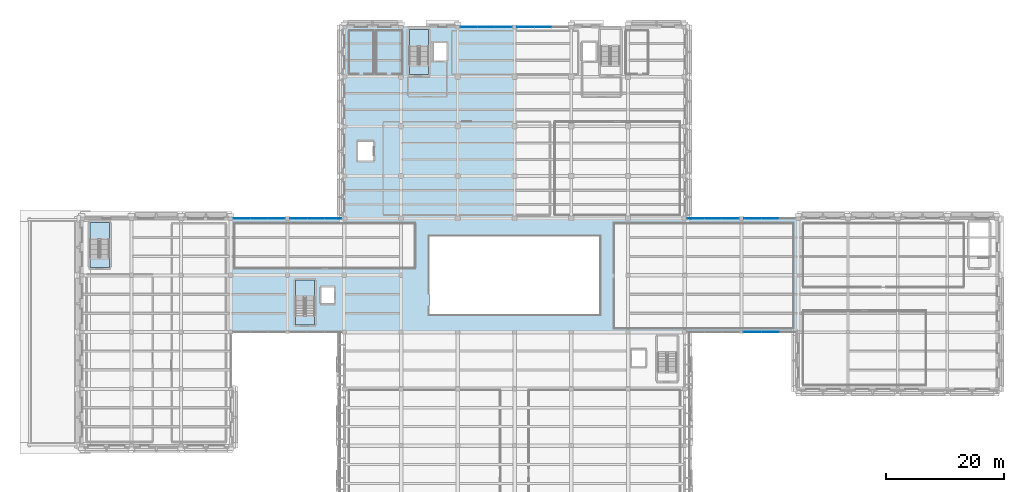
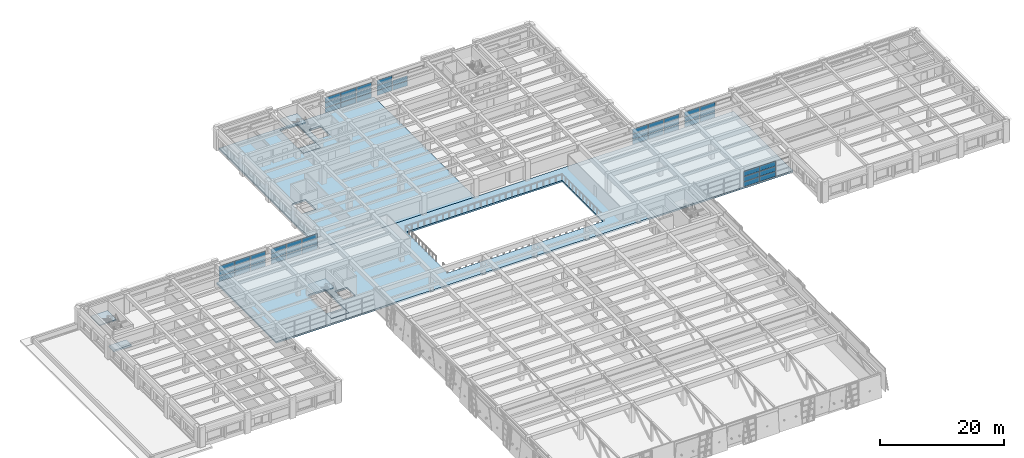
# One storey, part 33 of 62: 53 plates, 8 slabs, 10 elements without a shape of their own.
"""IFC4 building model written with IfcOpenShell, lengths in metres."""

from ifc_helpers import new_model, si_unit, direction, frame, origin, origin_2d, place, context, subcontext, project, spatial, polyline, rectangle, outline, extrude, material, layer, layer_set, type_object, element, aggregate, save


model = new_model("IFC4")

# Units and contexts
model_context = context("Model", 3, precision=1e-05, world=origin(), true_north=direction((0.0, 1.0)))
body_context = subcontext(model_context, "Body", "Model", "MODEL_VIEW")
ifc_project = project(units=[si_unit("LENGTHUNIT", "METRE"), si_unit("AREAUNIT", "SQUARE_METRE"), si_unit("VOLUMEUNIT", "CUBIC_METRE"), si_unit("PLANEANGLEUNIT", "RADIAN"), si_unit("MASSUNIT", "GRAM", prefix="KILO")], contexts=[model_context])

# Site, building, storey
site_placement = place(None, origin())
site = spatial("IfcSite", under=ifc_project, at=site_placement, CompositionType="ELEMENT")
building_placement = place(site_placement, origin())
building = spatial("IfcBuilding", under=site, at=building_placement, Name="Bempovik Park Faculty of Sciences", CompositionType="ELEMENT")
storey_placement = place(building_placement, frame((0.0, 0.0, 9.89990234375)))
storey = spatial("IfcBuildingStorey", under=building, at=storey_placement, Name="L02", CompositionType="ELEMENT", Elevation=9.89990234375)

# Curtain wall, plates
ifc_material_1 = material(Name="Tempered laminated low-E glass", Category="glass")
ifc_layer_1 = layer(ifc_material_1, 0.159912109375)
ifc_layer_set_1 = layer_set([ifc_layer_1], Name="Tempered laminated low-E glass")
curtain_wall_type_1 = type_object("IfcCurtainWallType", Name="CW-41 Curtain 6600x3800", PredefinedType="USERDEFINED", material=ifc_layer_set_1)
curtain_wall_1_placement = place(storey_placement, origin())
curtain_wall_1 = element("IfcCurtainWall", 1, at=curtain_wall_1_placement, inside=storey, type_object=curtain_wall_type_1, Name="L02 Unitised Curtain Wall (87.0,40.8)", ObjectType="UNITISED CURTAIN WALL", PredefinedType="USERDEFINED")
ifc_layer_2 = layer(ifc_material_1, 0.033935546875)
ifc_layer_set_2 = layer_set([ifc_layer_2], Name="Tempered laminated low-E glass")
plate_type_1 = type_object("IfcPlateType", Name="CP-19 Curtain Panel 34mm", PredefinedType="CURTAIN_PANEL", material=ifc_layer_set_2)
plate_1_placement = place(storey_placement, frame((42.701416015625, 87.0, 1.066650390625), z_axis=(0.0, 0.0, 1.0), x_axis=(1.0, 0.0, 0.0)))
plate_1 = element("IfcPlate", 2, at=plate_1_placement, type_object=plate_type_1, Name="CW-BAY-L02-870-408 Panel 0-1", PredefinedType="CURTAIN_PANEL", context=body_context, shape_type="SweptSolid", body=[
    extrude(rectangle(XDim=2.818603515625, YDim=0.035888671875, at=origin_2d()), origin(), (0.0, 0.0, 1.0), 0.94677734375),
])
plate_2_placement = place(storey_placement, frame((42.701416015625, 87.0, 2.093505859375), z_axis=(0.0, 0.0, 1.0), x_axis=(1.0, 0.0, 0.0)))
plate_2 = element("IfcPlate", 3, at=plate_2_placement, type_object=plate_type_1, Name="CW-BAY-L02-870-408 Panel 0-2", PredefinedType="CURTAIN_PANEL", context=body_context, shape_type="SweptSolid", body=[
    extrude(rectangle(XDim=2.818603515625, YDim=0.035888671875, at=origin_2d()), origin(), (0.0, 0.0, 1.0), 0.94677734375),
])
plate_3_placement = place(storey_placement, frame((45.60009765625, 87.0, 1.066650390625), z_axis=(0.0, 0.0, 1.0), x_axis=(1.0, 0.0, 0.0)))
plate_3 = element("IfcPlate", 4, at=plate_3_placement, type_object=plate_type_1, Name="CW-BAY-L02-870-408 Panel 1-1", PredefinedType="CURTAIN_PANEL", context=body_context, shape_type="SweptSolid", body=[
    extrude(rectangle(XDim=2.818603515625, YDim=0.035888671875, at=origin_2d()), origin(), (0.0, 0.0, 1.0), 0.94677734375),
])
plate_4_placement = place(storey_placement, frame((45.60009765625, 87.0, 2.093505859375), z_axis=(0.0, 0.0, 1.0), x_axis=(1.0, 0.0, 0.0)))
plate_4 = element("IfcPlate", 5, at=plate_4_placement, type_object=plate_type_1, Name="CW-BAY-L02-870-408 Panel 1-2", PredefinedType="CURTAIN_PANEL", context=body_context, shape_type="SweptSolid", body=[
    extrude(rectangle(XDim=2.818603515625, YDim=0.035888671875, at=origin_2d()), origin(), (0.0, 0.0, 1.0), 0.94677734375),
])
plate_5_placement = place(storey_placement, frame((48.498779296875, 87.0, 1.066650390625), z_axis=(0.0, 0.0, 1.0), x_axis=(1.0, 0.0, 0.0)))
plate_5 = element("IfcPlate", 6, at=plate_5_placement, type_object=plate_type_1, Name="CW-BAY-L02-870-408 Panel 2-1", PredefinedType="CURTAIN_PANEL", context=body_context, shape_type="SweptSolid", body=[
    extrude(rectangle(XDim=2.818603515625, YDim=0.035888671875, at=origin_2d()), origin(), (0.0, 0.0, 1.0), 0.94677734375),
])
plate_6_placement = place(storey_placement, frame((48.498779296875, 87.0, 2.093505859375), z_axis=(0.0, 0.0, 1.0), x_axis=(1.0, 0.0, 0.0)))
plate_6 = element("IfcPlate", 7, at=plate_6_placement, type_object=plate_type_1, Name="CW-BAY-L02-870-408 Panel 2-2", PredefinedType="CURTAIN_PANEL", context=body_context, shape_type="SweptSolid", body=[
    extrude(rectangle(XDim=2.818603515625, YDim=0.035888671875, at=origin_2d()), origin(), (0.0, 0.0, 1.0), 0.94677734375),
])

curtain_wall_2_placement = place(storey_placement, origin())
curtain_wall_2 = element("IfcCurtainWall", 8, at=curtain_wall_2_placement, inside=storey, type_object=curtain_wall_type_1, Name="L02 Unitised Curtain Wall (87.0,50.4)", ObjectType="UNITISED CURTAIN WALL", PredefinedType="USERDEFINED")
plate_7_placement = place(storey_placement, frame((52.30126953125, 87.0, 1.066650390625), z_axis=(0.0, 0.0, 1.0), x_axis=(1.0, 0.0, 0.0)))
plate_7 = element("IfcPlate", 9, at=plate_7_placement, type_object=plate_type_1, Name="CW-BAY-L02-870-504 Panel 0-1", PredefinedType="CURTAIN_PANEL", context=body_context, shape_type="SweptSolid", body=[
    extrude(rectangle(XDim=2.818603515625, YDim=0.035888671875, at=origin_2d()), origin(), (0.0, 0.0, 1.0), 0.94677734375),
])
plate_8_placement = place(storey_placement, frame((52.30126953125, 87.0, 2.093505859375), z_axis=(0.0, 0.0, 1.0), x_axis=(1.0, 0.0, 0.0)))
plate_8 = element("IfcPlate", 10, at=plate_8_placement, type_object=plate_type_1, Name="CW-BAY-L02-870-504 Panel 0-2", PredefinedType="CURTAIN_PANEL", context=body_context, shape_type="SweptSolid", body=[
    extrude(rectangle(XDim=2.818603515625, YDim=0.035888671875, at=origin_2d()), origin(), (0.0, 0.0, 1.0), 0.94677734375),
])
plate_9_placement = place(storey_placement, frame((55.199951171875, 87.0, 1.066650390625), z_axis=(0.0, 0.0, 1.0), x_axis=(1.0, 0.0, 0.0)))
plate_9 = element("IfcPlate", 11, at=plate_9_placement, type_object=plate_type_1, Name="CW-BAY-L02-870-504 Panel 1-1", PredefinedType="CURTAIN_PANEL", context=body_context, shape_type="SweptSolid", body=[
    extrude(rectangle(XDim=2.818603515625, YDim=0.035888671875, at=origin_2d()), origin(), (0.0, 0.0, 1.0), 0.94677734375),
])
plate_10_placement = place(storey_placement, frame((55.199951171875, 87.0, 2.093505859375), z_axis=(0.0, 0.0, 1.0), x_axis=(1.0, 0.0, 0.0)))
plate_10 = element("IfcPlate", 12, at=plate_10_placement, type_object=plate_type_1, Name="CW-BAY-L02-870-504 Panel 1-2", PredefinedType="CURTAIN_PANEL", context=body_context, shape_type="SweptSolid", body=[
    extrude(rectangle(XDim=2.818603515625, YDim=0.035888671875, at=origin_2d()), origin(), (0.0, 0.0, 1.0), 0.94677734375),
])
plate_11_placement = place(storey_placement, frame((58.0986328125, 87.0, 1.066650390625), z_axis=(0.0, 0.0, 1.0), x_axis=(1.0, 0.0, 0.0)))
plate_11 = element("IfcPlate", 13, at=plate_11_placement, type_object=plate_type_1, Name="CW-BAY-L02-870-504 Panel 2-1", PredefinedType="CURTAIN_PANEL", context=body_context, shape_type="SweptSolid", body=[
    extrude(rectangle(XDim=2.818603515625, YDim=0.035888671875, at=origin_2d()), origin(), (0.0, 0.0, 1.0), 0.94677734375),
])
plate_12_placement = place(storey_placement, frame((58.0986328125, 87.0, 2.093505859375), z_axis=(0.0, 0.0, 1.0), x_axis=(1.0, 0.0, 0.0)))
plate_12 = element("IfcPlate", 14, at=plate_12_placement, type_object=plate_type_1, Name="CW-BAY-L02-870-504 Panel 2-2", PredefinedType="CURTAIN_PANEL", context=body_context, shape_type="SweptSolid", body=[
    extrude(rectangle(XDim=2.818603515625, YDim=0.035888671875, at=origin_2d()), origin(), (0.0, 0.0, 1.0), 0.94677734375),
])

curtain_wall_3_placement = place(storey_placement, origin())
curtain_wall_3 = element("IfcCurtainWall", 15, at=curtain_wall_3_placement, inside=storey, type_object=curtain_wall_type_1, Name="L02 Unitised Curtain Wall (87.0,117.6)", ObjectType="UNITISED CURTAIN WALL", PredefinedType="USERDEFINED")
plate_13_placement = place(storey_placement, frame((119.501220703125, 87.0, 1.066650390625), z_axis=(0.0, 0.0, 1.0), x_axis=(1.0, 0.0, 0.0)))
plate_13 = element("IfcPlate", 16, at=plate_13_placement, type_object=plate_type_1, Name="CW-BAY-L02-870-1176 Panel 0-1", PredefinedType="CURTAIN_PANEL", context=body_context, shape_type="SweptSolid", body=[
    extrude(rectangle(XDim=2.818603515625, YDim=0.035888671875, at=origin_2d()), origin(), (0.0, 0.0, 1.0), 0.94677734375),
])
plate_14_placement = place(storey_placement, frame((119.501220703125, 87.0, 2.093505859375), z_axis=(0.0, 0.0, 1.0), x_axis=(1.0, 0.0, 0.0)))
plate_14 = element("IfcPlate", 17, at=plate_14_placement, type_object=plate_type_1, Name="CW-BAY-L02-870-1176 Panel 0-2", PredefinedType="CURTAIN_PANEL", context=body_context, shape_type="SweptSolid", body=[
    extrude(rectangle(XDim=2.818603515625, YDim=0.035888671875, at=origin_2d()), origin(), (0.0, 0.0, 1.0), 0.94677734375),
])
plate_15_placement = place(storey_placement, frame((122.39990234375, 87.0, 1.066650390625), z_axis=(0.0, 0.0, 1.0), x_axis=(1.0, 0.0, 0.0)))
plate_15 = element("IfcPlate", 18, at=plate_15_placement, type_object=plate_type_1, Name="CW-BAY-L02-870-1176 Panel 1-1", PredefinedType="CURTAIN_PANEL", context=body_context, shape_type="SweptSolid", body=[
    extrude(rectangle(XDim=2.818603515625, YDim=0.035888671875, at=origin_2d()), origin(), (0.0, 0.0, 1.0), 0.94677734375),
])
plate_16_placement = place(storey_placement, frame((122.39990234375, 87.0, 2.093505859375), z_axis=(0.0, 0.0, 1.0), x_axis=(1.0, 0.0, 0.0)))
plate_16 = element("IfcPlate", 19, at=plate_16_placement, type_object=plate_type_1, Name="CW-BAY-L02-870-1176 Panel 1-2", PredefinedType="CURTAIN_PANEL", context=body_context, shape_type="SweptSolid", body=[
    extrude(rectangle(XDim=2.818603515625, YDim=0.035888671875, at=origin_2d()), origin(), (0.0, 0.0, 1.0), 0.94677734375),
])
plate_17_placement = place(storey_placement, frame((125.298583984375, 87.0, 1.066650390625), z_axis=(0.0, 0.0, 1.0), x_axis=(1.0, 0.0, 0.0)))
plate_17 = element("IfcPlate", 20, at=plate_17_placement, type_object=plate_type_1, Name="CW-BAY-L02-870-1176 Panel 2-1", PredefinedType="CURTAIN_PANEL", context=body_context, shape_type="SweptSolid", body=[
    extrude(rectangle(XDim=2.818603515625, YDim=0.035888671875, at=origin_2d()), origin(), (0.0, 0.0, 1.0), 0.94677734375),
])
plate_18_placement = place(storey_placement, frame((125.298583984375, 87.0, 2.093505859375), z_axis=(0.0, 0.0, 1.0), x_axis=(1.0, 0.0, 0.0)))
plate_18 = element("IfcPlate", 21, at=plate_18_placement, type_object=plate_type_1, Name="CW-BAY-L02-870-1176 Panel 2-2", PredefinedType="CURTAIN_PANEL", context=body_context, shape_type="SweptSolid", body=[
    extrude(rectangle(XDim=2.818603515625, YDim=0.035888671875, at=origin_2d()), origin(), (0.0, 0.0, 1.0), 0.94677734375),
])

curtain_wall_4_placement = place(storey_placement, origin())
curtain_wall_4 = element("IfcCurtainWall", 22, at=curtain_wall_4_placement, inside=storey, type_object=curtain_wall_type_1, Name="L02 Unitised Curtain Wall (87.0,127.2)", ObjectType="UNITISED CURTAIN WALL", PredefinedType="USERDEFINED")
plate_19_placement = place(storey_placement, frame((129.101318359375, 87.0, 1.066650390625), z_axis=(0.0, 0.0, 1.0), x_axis=(1.0, 0.0, 0.0)))
plate_19 = element("IfcPlate", 23, at=plate_19_placement, type_object=plate_type_1, Name="CW-BAY-L02-870-1272 Panel 0-1", PredefinedType="CURTAIN_PANEL", context=body_context, shape_type="SweptSolid", body=[
    extrude(rectangle(XDim=2.818603515625, YDim=0.035888671875, at=origin_2d()), origin(), (0.0, 0.0, 1.0), 0.94677734375),
])
plate_20_placement = place(storey_placement, frame((129.101318359375, 87.0, 2.093505859375), z_axis=(0.0, 0.0, 1.0), x_axis=(1.0, 0.0, 0.0)))
plate_20 = element("IfcPlate", 24, at=plate_20_placement, type_object=plate_type_1, Name="CW-BAY-L02-870-1272 Panel 0-2", PredefinedType="CURTAIN_PANEL", context=body_context, shape_type="SweptSolid", body=[
    extrude(rectangle(XDim=2.818603515625, YDim=0.035888671875, at=origin_2d()), origin(), (0.0, 0.0, 1.0), 0.94677734375),
])
plate_21_placement = place(storey_placement, frame((132.0, 87.0, 1.066650390625), z_axis=(0.0, 0.0, 1.0), x_axis=(1.0, 0.0, 0.0)))
plate_21 = element("IfcPlate", 25, at=plate_21_placement, type_object=plate_type_1, Name="CW-BAY-L02-870-1272 Panel 1-1", PredefinedType="CURTAIN_PANEL", context=body_context, shape_type="SweptSolid", body=[
    extrude(rectangle(XDim=2.818603515625, YDim=0.035888671875, at=origin_2d()), origin(), (0.0, 0.0, 1.0), 0.94677734375),
])
plate_22_placement = place(storey_placement, frame((132.0, 87.0, 2.093505859375), z_axis=(0.0, 0.0, 1.0), x_axis=(1.0, 0.0, 0.0)))
plate_22 = element("IfcPlate", 26, at=plate_22_placement, type_object=plate_type_1, Name="CW-BAY-L02-870-1272 Panel 1-2", PredefinedType="CURTAIN_PANEL", context=body_context, shape_type="SweptSolid", body=[
    extrude(rectangle(XDim=2.818603515625, YDim=0.035888671875, at=origin_2d()), origin(), (0.0, 0.0, 1.0), 0.94677734375),
])

curtain_wall_5_placement = place(storey_placement, origin())
curtain_wall_5 = element("IfcCurtainWall", 27, at=curtain_wall_5_placement, inside=storey, type_object=curtain_wall_type_1, Name="L02 Unitised Curtain Wall (67.8,127.2)", ObjectType="UNITISED CURTAIN WALL", PredefinedType="USERDEFINED")
plate_23_placement = place(storey_placement, frame((129.0498046875, 67.800048828125, 1.066650390625), z_axis=(0.0, 0.0, 1.0), x_axis=(1.0, 0.0, 0.0)))
plate_23 = element("IfcPlate", 28, at=plate_23_placement, type_object=plate_type_1, Name="CW-BAY-L02-678-1272 Panel 0-1", PredefinedType="CURTAIN_PANEL", context=body_context, shape_type="SweptSolid", body=[
    extrude(rectangle(XDim=2.915283203125, YDim=0.035888671875, at=origin_2d()), origin(), (0.0, 0.0, 1.0), 0.94677734375),
])
plate_24_placement = place(storey_placement, frame((129.0498046875, 67.800048828125, 2.093505859375), z_axis=(0.0, 0.0, 1.0), x_axis=(1.0, 0.0, 0.0)))
plate_24 = element("IfcPlate", 29, at=plate_24_placement, type_object=plate_type_1, Name="CW-BAY-L02-678-1272 Panel 0-2", PredefinedType="CURTAIN_PANEL", context=body_context, shape_type="SweptSolid", body=[
    extrude(rectangle(XDim=2.915283203125, YDim=0.035888671875, at=origin_2d()), origin(), (0.0, 0.0, 1.0), 0.94677734375),
])
plate_25_placement = place(storey_placement, frame((132.044921875, 67.800048828125, 1.066650390625), z_axis=(0.0, 0.0, 1.0), x_axis=(1.0, 0.0, 0.0)))
plate_25 = element("IfcPlate", 30, at=plate_25_placement, type_object=plate_type_1, Name="CW-BAY-L02-678-1272 Panel 1-1", PredefinedType="CURTAIN_PANEL", context=body_context, shape_type="SweptSolid", body=[
    extrude(rectangle(XDim=2.915283203125, YDim=0.035888671875, at=origin_2d()), origin(), (0.0, 0.0, 1.0), 0.94677734375),
])
plate_26_placement = place(storey_placement, frame((132.044921875, 67.800048828125, 2.093505859375), z_axis=(0.0, 0.0, 1.0), x_axis=(1.0, 0.0, 0.0)))
plate_26 = element("IfcPlate", 31, at=plate_26_placement, type_object=plate_type_1, Name="CW-BAY-L02-678-1272 Panel 1-2", PredefinedType="CURTAIN_PANEL", context=body_context, shape_type="SweptSolid", body=[
    extrude(rectangle(XDim=2.915283203125, YDim=0.035888671875, at=origin_2d()), origin(), (0.0, 0.0, 1.0), 0.94677734375),
])

ifc_layer_3 = layer(ifc_material_1, 0.159912109375)
ifc_layer_set_3 = layer_set([ifc_layer_3], Name="Tempered laminated low-E glass")
curtain_wall_type_2 = type_object("IfcCurtainWallType", Name="CW-24 Curtain 7000x3500", PredefinedType="USERDEFINED", material=ifc_layer_set_3)
curtain_wall_6_placement = place(storey_placement, origin())
curtain_wall_6 = element("IfcCurtainWall", 32, at=curtain_wall_6_placement, inside=storey, type_object=curtain_wall_type_2, Name="L02 Unitised Curtain Wall (119.4,79.2)", ObjectType="UNITISED CURTAIN WALL", PredefinedType="USERDEFINED")
ifc_layer_4 = layer(ifc_material_1, 0.028076171875)
ifc_layer_set_4 = layer_set([ifc_layer_4], Name="Tempered laminated low-E glass")
plate_type_2 = type_object("IfcPlateType", Name="CP-20 Curtain Panel 28mm", PredefinedType="CURTAIN_PANEL", material=ifc_layer_set_4)
plate_27_placement = place(storey_placement, frame((81.101318359375, 119.39990234375, 1.066650390625), z_axis=(0.0, 0.0, 1.0), x_axis=(1.0, 0.0, 0.0)))
plate_27 = element("IfcPlate", 33, at=plate_27_placement, type_object=plate_type_2, Name="CW-BAY-L02-1194-792 Panel 0-1", PredefinedType="CURTAIN_PANEL", context=body_context, shape_type="SweptSolid", body=[
    extrude(rectangle(XDim=2.818603515625, YDim=0.035888671875, at=origin_2d()), origin(), (0.0, 0.0, 1.0), 0.94677734375),
])
plate_28_placement = place(storey_placement, frame((81.101318359375, 119.39990234375, 2.093505859375), z_axis=(0.0, 0.0, 1.0), x_axis=(1.0, 0.0, 0.0)))
plate_28 = element("IfcPlate", 34, at=plate_28_placement, type_object=plate_type_2, Name="CW-BAY-L02-1194-792 Panel 0-2", PredefinedType="CURTAIN_PANEL", context=body_context, shape_type="SweptSolid", body=[
    extrude(rectangle(XDim=2.818603515625, YDim=0.035888671875, at=origin_2d()), origin(), (0.0, 0.0, 1.0), 0.94677734375),
])
plate_29_placement = place(storey_placement, frame((84.0, 119.39990234375, 1.066650390625), z_axis=(0.0, 0.0, 1.0), x_axis=(1.0, 0.0, 0.0)))
plate_29 = element("IfcPlate", 35, at=plate_29_placement, type_object=plate_type_2, Name="CW-BAY-L02-1194-792 Panel 1-1", PredefinedType="CURTAIN_PANEL", context=body_context, shape_type="SweptSolid", body=[
    extrude(rectangle(XDim=2.818603515625, YDim=0.035888671875, at=origin_2d()), origin(), (0.0, 0.0, 1.0), 0.94677734375),
])
plate_30_placement = place(storey_placement, frame((84.0, 119.39990234375, 2.093505859375), z_axis=(0.0, 0.0, 1.0), x_axis=(1.0, 0.0, 0.0)))
plate_30 = element("IfcPlate", 36, at=plate_30_placement, type_object=plate_type_2, Name="CW-BAY-L02-1194-792 Panel 1-2", PredefinedType="CURTAIN_PANEL", context=body_context, shape_type="SweptSolid", body=[
    extrude(rectangle(XDim=2.818603515625, YDim=0.035888671875, at=origin_2d()), origin(), (0.0, 0.0, 1.0), 0.94677734375),
])
plate_31_placement = place(storey_placement, frame((86.898681640625, 119.39990234375, 1.066650390625), z_axis=(0.0, 0.0, 1.0), x_axis=(1.0, 0.0, 0.0)))
plate_31 = element("IfcPlate", 37, at=plate_31_placement, type_object=plate_type_2, Name="CW-BAY-L02-1194-792 Panel 2-1", PredefinedType="CURTAIN_PANEL", context=body_context, shape_type="SweptSolid", body=[
    extrude(rectangle(XDim=2.818603515625, YDim=0.035888671875, at=origin_2d()), origin(), (0.0, 0.0, 1.0), 0.94677734375),
])
plate_32_placement = place(storey_placement, frame((86.898681640625, 119.39990234375, 2.093505859375), z_axis=(0.0, 0.0, 1.0), x_axis=(1.0, 0.0, 0.0)))
plate_32 = element("IfcPlate", 38, at=plate_32_placement, type_object=plate_type_2, Name="CW-BAY-L02-1194-792 Panel 2-2", PredefinedType="CURTAIN_PANEL", context=body_context, shape_type="SweptSolid", body=[
    extrude(rectangle(XDim=2.818603515625, YDim=0.035888671875, at=origin_2d()), origin(), (0.0, 0.0, 1.0), 0.94677734375),
])

curtain_wall_7_placement = place(storey_placement, origin())
curtain_wall_7 = element("IfcCurtainWall", 39, at=curtain_wall_7_placement, inside=storey, type_object=curtain_wall_type_2, Name="L02 Unitised Curtain Wall (119.4,88.8)", ObjectType="UNITISED CURTAIN WALL", PredefinedType="USERDEFINED")
plate_33_placement = place(storey_placement, frame((90.701416015625, 119.39990234375, 1.066650390625), z_axis=(0.0, 0.0, 1.0), x_axis=(1.0, 0.0, 0.0)))
plate_33 = element("IfcPlate", 40, at=plate_33_placement, type_object=plate_type_2, Name="CW-BAY-L02-1194-888 Panel 0-1", PredefinedType="CURTAIN_PANEL", context=body_context, shape_type="SweptSolid", body=[
    extrude(rectangle(XDim=2.818603515625, YDim=0.035888671875, at=origin_2d()), origin(), (0.0, 0.0, 1.0), 0.94677734375),
])
plate_34_placement = place(storey_placement, frame((90.701416015625, 119.39990234375, 2.093505859375), z_axis=(0.0, 0.0, 1.0), x_axis=(1.0, 0.0, 0.0)))
plate_34 = element("IfcPlate", 41, at=plate_34_placement, type_object=plate_type_2, Name="CW-BAY-L02-1194-888 Panel 0-2", PredefinedType="CURTAIN_PANEL", context=body_context, shape_type="SweptSolid", body=[
    extrude(rectangle(XDim=2.818603515625, YDim=0.035888671875, at=origin_2d()), origin(), (0.0, 0.0, 1.0), 0.94677734375),
])
plate_35_placement = place(storey_placement, frame((93.60009765625, 119.39990234375, 1.066650390625), z_axis=(0.0, 0.0, 1.0), x_axis=(1.0, 0.0, 0.0)))
plate_35 = element("IfcPlate", 42, at=plate_35_placement, type_object=plate_type_2, Name="CW-BAY-L02-1194-888 Panel 1-1", PredefinedType="CURTAIN_PANEL", context=body_context, shape_type="SweptSolid", body=[
    extrude(rectangle(XDim=2.818603515625, YDim=0.035888671875, at=origin_2d()), origin(), (0.0, 0.0, 1.0), 0.94677734375),
])

# Plate
ifc_material_2 = material(Name="Anodised architectural bronze")
ifc_layer_5 = layer(ifc_material_2, 0.048095703125)
ifc_layer_set_5 = layer_set([ifc_layer_5], Name="Anodised architectural bronze")
plate_type_3 = type_object("IfcPlateType", Name="CP-24 Curtain Panel 48mm", PredefinedType="CURTAIN_PANEL", material=ifc_layer_set_5)
plate_36_placement = place(storey_placement, frame((42.701416015625, 87.0, 0.0400390625), z_axis=(0.0, 0.0, 1.0), x_axis=(1.0, 0.0, 0.0)))
plate_36 = element("IfcPlate", 43, at=plate_36_placement, type_object=plate_type_3, Name="CW-BAY-L02-870-408 Panel 0-0", PredefinedType="CURTAIN_PANEL", context=body_context, shape_type="SweptSolid", body=[
    extrude(rectangle(XDim=2.818603515625, YDim=0.035888671875, at=origin_2d()), origin(), (0.0, 0.0, 1.0), 0.94677734375),
])

plate_37_placement = place(storey_placement, frame((45.60009765625, 87.0, 0.0400390625), z_axis=(0.0, 0.0, 1.0), x_axis=(1.0, 0.0, 0.0)))
plate_37 = element("IfcPlate", 44, at=plate_37_placement, type_object=plate_type_3, Name="CW-BAY-L02-870-408 Panel 1-0", PredefinedType="CURTAIN_PANEL", context=body_context, shape_type="SweptSolid", body=[
    extrude(rectangle(XDim=2.818603515625, YDim=0.035888671875, at=origin_2d()), origin(), (0.0, 0.0, 1.0), 0.94677734375),
])

plate_38_placement = place(storey_placement, frame((48.498779296875, 87.0, 0.0400390625), z_axis=(0.0, 0.0, 1.0), x_axis=(1.0, 0.0, 0.0)))
plate_38 = element("IfcPlate", 45, at=plate_38_placement, type_object=plate_type_3, Name="CW-BAY-L02-870-408 Panel 2-0", PredefinedType="CURTAIN_PANEL", context=body_context, shape_type="SweptSolid", body=[
    extrude(rectangle(XDim=2.818603515625, YDim=0.035888671875, at=origin_2d()), origin(), (0.0, 0.0, 1.0), 0.94677734375),
])

aggregate(curtain_wall_1, [plate_36, plate_1, plate_2, plate_37, plate_3, plate_4, plate_38, plate_5, plate_6])

plate_39_placement = place(storey_placement, frame((52.30126953125, 87.0, 0.0400390625), z_axis=(0.0, 0.0, 1.0), x_axis=(1.0, 0.0, 0.0)))
plate_39 = element("IfcPlate", 46, at=plate_39_placement, type_object=plate_type_3, Name="CW-BAY-L02-870-504 Panel 0-0", PredefinedType="CURTAIN_PANEL", context=body_context, shape_type="SweptSolid", body=[
    extrude(rectangle(XDim=2.818603515625, YDim=0.035888671875, at=origin_2d()), origin(), (0.0, 0.0, 1.0), 0.94677734375),
])

plate_40_placement = place(storey_placement, frame((55.199951171875, 87.0, 0.0400390625), z_axis=(0.0, 0.0, 1.0), x_axis=(1.0, 0.0, 0.0)))
plate_40 = element("IfcPlate", 47, at=plate_40_placement, type_object=plate_type_3, Name="CW-BAY-L02-870-504 Panel 1-0", PredefinedType="CURTAIN_PANEL", context=body_context, shape_type="SweptSolid", body=[
    extrude(rectangle(XDim=2.818603515625, YDim=0.035888671875, at=origin_2d()), origin(), (0.0, 0.0, 1.0), 0.94677734375),
])

plate_41_placement = place(storey_placement, frame((58.0986328125, 87.0, 0.0400390625), z_axis=(0.0, 0.0, 1.0), x_axis=(1.0, 0.0, 0.0)))
plate_41 = element("IfcPlate", 48, at=plate_41_placement, type_object=plate_type_3, Name="CW-BAY-L02-870-504 Panel 2-0", PredefinedType="CURTAIN_PANEL", context=body_context, shape_type="SweptSolid", body=[
    extrude(rectangle(XDim=2.818603515625, YDim=0.035888671875, at=origin_2d()), origin(), (0.0, 0.0, 1.0), 0.94677734375),
])

aggregate(curtain_wall_2, [plate_39, plate_7, plate_8, plate_40, plate_9, plate_10, plate_41, plate_11, plate_12])

plate_42_placement = place(storey_placement, frame((81.101318359375, 119.39990234375, 0.0400390625), z_axis=(0.0, 0.0, 1.0), x_axis=(1.0, 0.0, 0.0)))
plate_42 = element("IfcPlate", 49, at=plate_42_placement, type_object=plate_type_3, Name="CW-BAY-L02-1194-792 Panel 0-0", PredefinedType="CURTAIN_PANEL", context=body_context, shape_type="SweptSolid", body=[
    extrude(rectangle(XDim=2.818603515625, YDim=0.035888671875, at=origin_2d()), origin(), (0.0, 0.0, 1.0), 0.94677734375),
])

plate_43_placement = place(storey_placement, frame((84.0, 119.39990234375, 0.0400390625), z_axis=(0.0, 0.0, 1.0), x_axis=(1.0, 0.0, 0.0)))
plate_43 = element("IfcPlate", 50, at=plate_43_placement, type_object=plate_type_3, Name="CW-BAY-L02-1194-792 Panel 1-0", PredefinedType="CURTAIN_PANEL", context=body_context, shape_type="SweptSolid", body=[
    extrude(rectangle(XDim=2.818603515625, YDim=0.035888671875, at=origin_2d()), origin(), (0.0, 0.0, 1.0), 0.94677734375),
])

plate_44_placement = place(storey_placement, frame((86.898681640625, 119.39990234375, 0.0400390625), z_axis=(0.0, 0.0, 1.0), x_axis=(1.0, 0.0, 0.0)))
plate_44 = element("IfcPlate", 51, at=plate_44_placement, type_object=plate_type_3, Name="CW-BAY-L02-1194-792 Panel 2-0", PredefinedType="CURTAIN_PANEL", context=body_context, shape_type="SweptSolid", body=[
    extrude(rectangle(XDim=2.818603515625, YDim=0.035888671875, at=origin_2d()), origin(), (0.0, 0.0, 1.0), 0.94677734375),
])

aggregate(curtain_wall_6, [plate_42, plate_27, plate_28, plate_43, plate_29, plate_30, plate_44, plate_31, plate_32])

plate_45_placement = place(storey_placement, frame((90.701416015625, 119.39990234375, 0.0400390625), z_axis=(0.0, 0.0, 1.0), x_axis=(1.0, 0.0, 0.0)))
plate_45 = element("IfcPlate", 52, at=plate_45_placement, type_object=plate_type_3, Name="CW-BAY-L02-1194-888 Panel 0-0", PredefinedType="CURTAIN_PANEL", context=body_context, shape_type="SweptSolid", body=[
    extrude(rectangle(XDim=2.818603515625, YDim=0.035888671875, at=origin_2d()), origin(), (0.0, 0.0, 1.0), 0.94677734375),
])

plate_46_placement = place(storey_placement, frame((93.60009765625, 119.39990234375, 0.0400390625), z_axis=(0.0, 0.0, 1.0), x_axis=(1.0, 0.0, 0.0)))
plate_46 = element("IfcPlate", 53, at=plate_46_placement, type_object=plate_type_3, Name="CW-BAY-L02-1194-888 Panel 1-0", PredefinedType="CURTAIN_PANEL", context=body_context, shape_type="SweptSolid", body=[
    extrude(rectangle(XDim=2.818603515625, YDim=0.035888671875, at=origin_2d()), origin(), (0.0, 0.0, 1.0), 0.94677734375),
])

aggregate(curtain_wall_7, [plate_45, plate_33, plate_34, plate_46, plate_35])

plate_47_placement = place(storey_placement, frame((119.501220703125, 87.0, 0.0400390625), z_axis=(0.0, 0.0, 1.0), x_axis=(1.0, 0.0, 0.0)))
plate_47 = element("IfcPlate", 54, at=plate_47_placement, type_object=plate_type_3, Name="CW-BAY-L02-870-1176 Panel 0-0", PredefinedType="CURTAIN_PANEL", context=body_context, shape_type="SweptSolid", body=[
    extrude(rectangle(XDim=2.818603515625, YDim=0.035888671875, at=origin_2d()), origin(), (0.0, 0.0, 1.0), 0.94677734375),
])

plate_48_placement = place(storey_placement, frame((122.39990234375, 87.0, 0.0400390625), z_axis=(0.0, 0.0, 1.0), x_axis=(1.0, 0.0, 0.0)))
plate_48 = element("IfcPlate", 55, at=plate_48_placement, type_object=plate_type_3, Name="CW-BAY-L02-870-1176 Panel 1-0", PredefinedType="CURTAIN_PANEL", context=body_context, shape_type="SweptSolid", body=[
    extrude(rectangle(XDim=2.818603515625, YDim=0.035888671875, at=origin_2d()), origin(), (0.0, 0.0, 1.0), 0.94677734375),
])

plate_49_placement = place(storey_placement, frame((125.298583984375, 87.0, 0.0400390625), z_axis=(0.0, 0.0, 1.0), x_axis=(1.0, 0.0, 0.0)))
plate_49 = element("IfcPlate", 56, at=plate_49_placement, type_object=plate_type_3, Name="CW-BAY-L02-870-1176 Panel 2-0", PredefinedType="CURTAIN_PANEL", context=body_context, shape_type="SweptSolid", body=[
    extrude(rectangle(XDim=2.818603515625, YDim=0.035888671875, at=origin_2d()), origin(), (0.0, 0.0, 1.0), 0.94677734375),
])

aggregate(curtain_wall_3, [plate_47, plate_13, plate_14, plate_48, plate_15, plate_16, plate_49, plate_17, plate_18])

plate_50_placement = place(storey_placement, frame((129.101318359375, 87.0, 0.0400390625), z_axis=(0.0, 0.0, 1.0), x_axis=(1.0, 0.0, 0.0)))
plate_50 = element("IfcPlate", 57, at=plate_50_placement, type_object=plate_type_3, Name="CW-BAY-L02-870-1272 Panel 0-0", PredefinedType="CURTAIN_PANEL", context=body_context, shape_type="SweptSolid", body=[
    extrude(rectangle(XDim=2.818603515625, YDim=0.035888671875, at=origin_2d()), origin(), (0.0, 0.0, 1.0), 0.94677734375),
])

plate_51_placement = place(storey_placement, frame((132.0, 87.0, 0.0400390625), z_axis=(0.0, 0.0, 1.0), x_axis=(1.0, 0.0, 0.0)))
plate_51 = element("IfcPlate", 58, at=plate_51_placement, type_object=plate_type_3, Name="CW-BAY-L02-870-1272 Panel 1-0", PredefinedType="CURTAIN_PANEL", context=body_context, shape_type="SweptSolid", body=[
    extrude(rectangle(XDim=2.818603515625, YDim=0.035888671875, at=origin_2d()), origin(), (0.0, 0.0, 1.0), 0.94677734375),
])

aggregate(curtain_wall_4, [plate_50, plate_19, plate_20, plate_51, plate_21, plate_22])

plate_52_placement = place(storey_placement, frame((129.0498046875, 67.800048828125, 0.0400390625), z_axis=(0.0, 0.0, 1.0), x_axis=(1.0, 0.0, 0.0)))
plate_52 = element("IfcPlate", 59, at=plate_52_placement, type_object=plate_type_3, Name="CW-BAY-L02-678-1272 Panel 0-0", PredefinedType="CURTAIN_PANEL", context=body_context, shape_type="SweptSolid", body=[
    extrude(rectangle(XDim=2.915283203125, YDim=0.035888671875, at=origin_2d()), origin(), (0.0, 0.0, 1.0), 0.94677734375),
])

plate_53_placement = place(storey_placement, frame((132.044921875, 67.800048828125, 0.0400390625), z_axis=(0.0, 0.0, 1.0), x_axis=(1.0, 0.0, 0.0)))
plate_53 = element("IfcPlate", 60, at=plate_53_placement, type_object=plate_type_3, Name="CW-BAY-L02-678-1272 Panel 1-0", PredefinedType="CURTAIN_PANEL", context=body_context, shape_type="SweptSolid", body=[
    extrude(rectangle(XDim=2.915283203125, YDim=0.035888671875, at=origin_2d()), origin(), (0.0, 0.0, 1.0), 0.94677734375),
])

aggregate(curtain_wall_5, [plate_52, plate_23, plate_24, plate_53, plate_25, plate_26])

# Slabs
ifc_material_3 = material(Name="Concrete C35/45", Category="concrete")
ifc_layer_6 = layer(ifc_material_3, 0.260009765625)
ifc_layer_set_6 = layer_set([ifc_layer_6], Name="Concrete C35/45")
slab_type_1 = type_object("IfcSlabType", Name="S-13 Slab 260mm", PredefinedType="FLOOR", material=ifc_layer_set_6)
slab_1_placement = place(storey_placement, frame((0.0, 0.0, -0.31982421875)))
element("IfcSlab", 61, at=slab_1_placement, inside=storey, type_object=slab_type_1, Name="L02 Sky-Lit Atrium & Concourse Floor Slab (M)", PredefinedType="FLOOR", context=body_context, shape_type="SweptSolid", body=[
    extrude(outline(polyline([(40.800048828125, 67.800048828125), (136.800048828125, 67.800048828125), (136.800048828125, 87.0), (40.800048828125, 87.0), (40.800048828125, 67.800048828125)]), holes=[polyline([(51.75, 69.0), (55.0, 69.0), (55.0, 76.625), (51.75, 76.625), (51.75, 69.0)]), polyline([(56.10009765625, 72.64990234375), (58.300048828125, 72.64990234375), (58.300048828125, 75.35009765625), (56.10009765625, 75.35009765625), (56.10009765625, 72.64990234375)]), polyline([(74.375, 70.75), (103.25, 70.75), (103.25, 84.0), (74.375, 84.0), (74.375, 70.75)])]), origin(), (0.0, 0.0, 1.0), 0.31982421875),
])
ifc_layer_7 = layer(ifc_material_3, 0.280029296875)
ifc_layer_set_7 = layer_set([ifc_layer_7], Name="Concrete C35/45")
slab_type_2 = type_object("IfcSlabType", Name="S-32 Slab 280mm", PredefinedType="FLOOR", material=ifc_layer_set_7)
slab_2_placement = place(storey_placement, frame((0.0, 0.0, -0.31982421875)))
element("IfcSlab", 62, at=slab_2_placement, inside=storey, type_object=slab_type_2, Name="L02 North Research Tower Floor Slab (W)", PredefinedType="FLOOR", context=body_context, shape_type="SweptSolid", body=[
    extrude(outline(polyline([(60.0, 87.0), (88.800048828125, 87.0), (88.800048828125, 119.39990234375), (60.0, 119.39990234375), (60.0, 87.0)]), holes=[polyline([(71.0, 111.375), (74.25, 111.375), (74.25, 119.0), (71.0, 119.0), (71.0, 111.375)]), polyline([(75.10009765625, 113.699951171875), (77.300048828125, 113.699951171875), (77.300048828125, 116.699951171875), (75.10009765625, 116.699951171875), (75.10009765625, 113.699951171875)]), polyline([(62.300048828125, 96.800048828125), (64.89990234375, 96.800048828125), (64.89990234375, 100.0), (62.300048828125, 100.0), (62.300048828125, 96.800048828125)])]), origin(), (0.0, 0.0, 1.0), 0.31982421875),
])

# Stair, slab
stair_type = type_object("IfcStairType", Name="ST-16 Stair W1500 H4200", PredefinedType="HALF_TURN_STAIR", material=ifc_material_3)
stair_1_placement = place(storey_placement, origin())
stair_1 = element("IfcStair", 63, at=stair_1_placement, inside=storey, type_object=stair_type, Name="L02 ST-1 Dog-Leg Exit Stair", PredefinedType="HALF_TURN_STAIR")
ifc_layer_8 = layer(ifc_material_3, 0.199951171875)
ifc_layer_set_8 = layer_set([ifc_layer_8], Name="Concrete C35/45")
slab_type_3 = type_object("IfcSlabType", Name="S-41 Slab 200mm", PredefinedType="LANDING", material=ifc_layer_set_8)
slab_3_placement = place(storey_placement, frame((0.0, 0.0, 1.900146484375)))
slab_3 = element("IfcSlab", 64, at=slab_3_placement, type_object=slab_type_3, Name="ST-16 landing 1", PredefinedType="LANDING", context=body_context, shape_type="SweptSolid", body=[
    extrude(outline(polyline([(74.25, 116.09375), (74.25, 119.0), (71.0, 119.0), (71.0, 116.09375), (74.25, 116.09375)])), origin(), (0.0, 0.0, 1.0), 0.199951171875),
])
aggregate(stair_1, [slab_3])

# Slab
slab_4_placement = place(storey_placement, frame((0.0, 0.0, -0.31982421875)))
element("IfcSlab", 65, at=slab_4_placement, inside=storey, type_object=slab_type_3, Name="L02 ST-1 Floor Landing Slab", PredefinedType="LANDING", context=body_context, shape_type="SweptSolid", body=[
    extrude(outline(polyline([(74.25, 111.375), (74.25, 113.0), (71.0, 113.0), (71.0, 111.375), (74.25, 111.375)])), origin(), (0.0, 0.0, 1.0), 0.31982421875),
])

# Stair, slab
stair_2_placement = place(storey_placement, origin())
stair_2 = element("IfcStair", 66, at=stair_2_placement, inside=storey, type_object=stair_type, Name="L02 ST-3 Dog-Leg Exit Stair", PredefinedType="HALF_TURN_STAIR")
slab_5_placement = place(storey_placement, frame((0.0, 0.0, 1.900146484375)))
slab_5 = element("IfcSlab", 67, at=slab_5_placement, type_object=slab_type_3, Name="ST-16 landing 1", PredefinedType="LANDING", context=body_context, shape_type="SweptSolid", body=[
    extrude(outline(polyline([(20.25, 83.46875), (20.25, 86.375), (17.0, 86.375), (17.0, 83.46875), (20.25, 83.46875)])), origin(), (0.0, 0.0, 1.0), 0.199951171875),
])
aggregate(stair_2, [slab_5])

# Slab
slab_6_placement = place(storey_placement, frame((0.0, 0.0, -0.31982421875)))
element("IfcSlab", 68, at=slab_6_placement, inside=storey, type_object=slab_type_3, Name="L02 ST-3 Floor Landing Slab", PredefinedType="LANDING", context=body_context, shape_type="SweptSolid", body=[
    extrude(outline(polyline([(20.25, 78.75), (20.25, 80.375), (17.0, 80.375), (17.0, 78.75), (20.25, 78.75)])), origin(), (0.0, 0.0, 1.0), 0.31982421875),
])

# Stair, slab
stair_3_placement = place(storey_placement, origin())
stair_3 = element("IfcStair", 69, at=stair_3_placement, inside=storey, type_object=stair_type, Name="L02 ST-4 Dog-Leg Exit Stair", PredefinedType="HALF_TURN_STAIR")
slab_7_placement = place(storey_placement, frame((0.0, 0.0, 1.900146484375)))
slab_7 = element("IfcSlab", 70, at=slab_7_placement, type_object=slab_type_3, Name="ST-16 landing 1", PredefinedType="LANDING", context=body_context, shape_type="SweptSolid", body=[
    extrude(outline(polyline([(55.0, 73.71875), (55.0, 76.625), (51.75, 76.625), (51.75, 73.71875), (55.0, 73.71875)])), origin(), (0.0, 0.0, 1.0), 0.199951171875),
])
aggregate(stair_3, [slab_7])

# Slab
slab_8_placement = place(storey_placement, frame((0.0, 0.0, -0.31982421875)))
element("IfcSlab", 71, at=slab_8_placement, inside=storey, type_object=slab_type_3, Name="L02 ST-4 Floor Landing Slab", PredefinedType="LANDING", context=body_context, shape_type="SweptSolid", body=[
    extrude(outline(polyline([(55.0, 69.0), (55.0, 70.625), (51.75, 70.625), (51.75, 69.0), (55.0, 69.0)])), origin(), (0.0, 0.0, 1.0), 0.31982421875),
])

save(model, "model.ifc")
